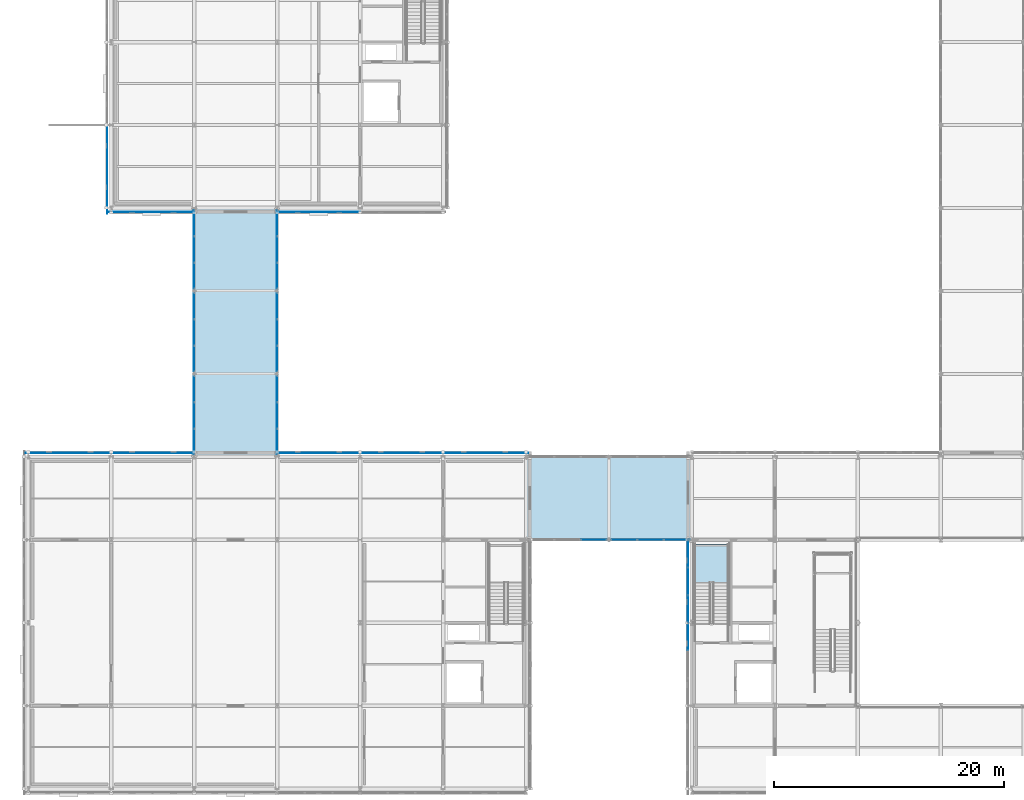
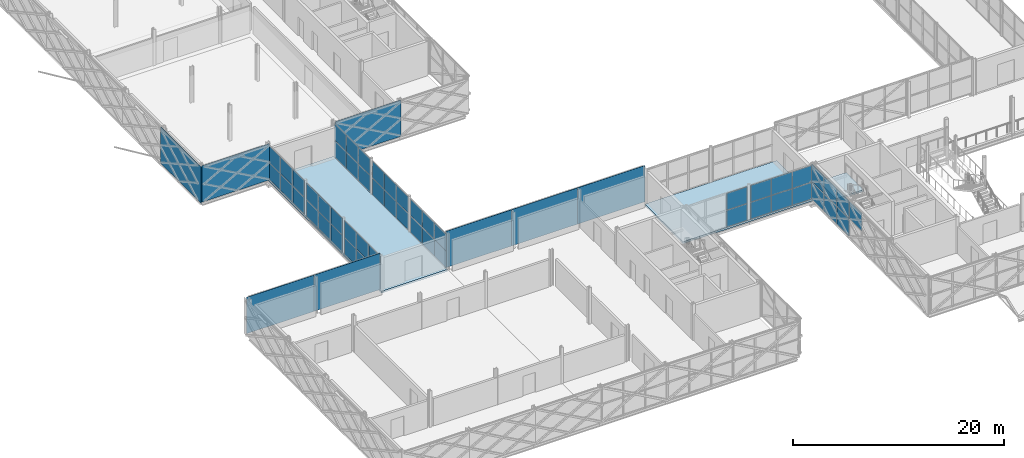
# One storey, part 87 of 146: 59 plates, 3 slabs, 11 elements without a shape of their own.
"""IFC4 building model written with IfcOpenShell, lengths in metres."""

from ifc_helpers import new_model, si_unit, direction, frame, origin, origin_2d, place, context, subcontext, project, spatial, polyline, rectangle, outline, extrude, material, layer, layer_set, type_object, element, aggregate, save


model = new_model("IFC4")

# Units and contexts
model_context = context("Model", 3, precision=1e-05, world=origin(), true_north=direction((0.0, 1.0)))
body_context = subcontext(model_context, "Body", "Model", "MODEL_VIEW")
ifc_project = project(units=[si_unit("LENGTHUNIT", "METRE"), si_unit("AREAUNIT", "SQUARE_METRE"), si_unit("VOLUMEUNIT", "CUBIC_METRE"), si_unit("PLANEANGLEUNIT", "RADIAN"), si_unit("MASSUNIT", "GRAM", prefix="KILO")], contexts=[model_context])

# Site, building, storey
site_placement = place(None, origin())
site = spatial("IfcSite", under=ifc_project, at=site_placement, CompositionType="ELEMENT")
building_placement = place(site_placement, origin())
building = spatial("IfcBuilding", under=site, at=building_placement, Name="Zlatovets Crest Museum", CompositionType="ELEMENT")
storey_placement = place(building_placement, frame((0.0, 0.0, 4.5)))
storey = spatial("IfcBuildingStorey", under=building, at=storey_placement, Name="L01", CompositionType="ELEMENT", Elevation=4.5)

# Curtain wall, plates
ifc_material_1 = material(Name="Bronze-anodised aluminium and low-E triple glass", Category="aluminium")
curtain_wall_type_1 = type_object("IfcCurtainWallType", Name="CW_CW-BR1-L01-S69", PredefinedType="NOTDEFINED", material=ifc_material_1)
curtain_wall_1_placement = place(storey_placement, origin())
curtain_wall_1 = element("IfcCurtainWall", 1, at=curtain_wall_1_placement, inside=storey, type_object=curtain_wall_type_1, Name="South Forecourt Glazed Link Bridge L01 Glazed Bridge Curtain Wall", PredefinedType="NOTDEFINED")
ifc_material_2 = material(Name="Solar-control low-E laminated triple glass", Category="glass")
ifc_layer_1 = layer(ifc_material_2, 0.030029296875)
ifc_layer_set_1 = layer_set([ifc_layer_1], Name="Solar-control low-E laminated triple glass")
plate_type_1 = type_object("IfcPlateType", Name="CWPanel_CW-BR1-L01-S69", PredefinedType="CURTAIN_PANEL", material=ifc_layer_set_1)
plate_1_placement = place(storey_placement, frame((49.0849609375, 21.60009765625, 0.06005859375), z_axis=(0.0, 0.0, 1.0), x_axis=(1.0, 0.0, 0.0)))
plate_1 = element("IfcPlate", 2, at=plate_1_placement, type_object=plate_type_1, Name="CW-BR1-L01-S69 panel 3.1", PredefinedType="CURTAIN_PANEL", context=body_context, shape_type="SweptSolid", body=[
    extrude(rectangle(XDim=2.2099609375, YDim=0.030029296875, at=origin_2d()), origin(), (0.0, 0.0, 1.0), 1.89990234375),
])
plate_2_placement = place(storey_placement, frame((49.0849609375, 21.60009765625, 2.02001953125), z_axis=(0.0, 0.0, 1.0), x_axis=(1.0, 0.0, 0.0)))
plate_2 = element("IfcPlate", 3, at=plate_2_placement, type_object=plate_type_1, Name="CW-BR1-L01-S69 panel 3.2", PredefinedType="CURTAIN_PANEL", context=body_context, shape_type="SweptSolid", body=[
    extrude(rectangle(XDim=2.2099609375, YDim=0.030029296875, at=origin_2d()), origin(), (0.0, 0.0, 1.0), 1.89990234375),
])
aggregate(curtain_wall_1, [plate_1, plate_2])

curtain_wall_2_placement = place(storey_placement, origin())
curtain_wall_2 = element("IfcCurtainWall", 4, at=curtain_wall_2_placement, inside=storey, type_object=curtain_wall_type_1, Name="South Forecourt Glazed Link Bridge L01 Glazed Bridge Curtain Wall", PredefinedType="NOTDEFINED")
plate_3_placement = place(storey_placement, frame((51.715087890625, 21.60009765625, 0.06005859375), z_axis=(0.0, 0.0, 1.0), x_axis=(1.0, 0.0, 0.0)))
plate_3 = element("IfcPlate", 5, at=plate_3_placement, type_object=plate_type_1, Name="CW-BR1-L01-S69 panel 1.1", PredefinedType="CURTAIN_PANEL", context=body_context, shape_type="SweptSolid", body=[
    extrude(rectangle(XDim=2.2099609375, YDim=0.030029296875, at=origin_2d()), origin(), (0.0, 0.0, 1.0), 1.89990234375),
])
plate_4_placement = place(storey_placement, frame((51.715087890625, 21.60009765625, 2.02001953125), z_axis=(0.0, 0.0, 1.0), x_axis=(1.0, 0.0, 0.0)))
plate_4 = element("IfcPlate", 6, at=plate_4_placement, type_object=plate_type_1, Name="CW-BR1-L01-S69 panel 1.2", PredefinedType="CURTAIN_PANEL", context=body_context, shape_type="SweptSolid", body=[
    extrude(rectangle(XDim=2.2099609375, YDim=0.030029296875, at=origin_2d()), origin(), (0.0, 0.0, 1.0), 1.89990234375),
])
plate_5_placement = place(storey_placement, frame((54.0, 21.60009765625, 0.06005859375), z_axis=(0.0, 0.0, 1.0), x_axis=(1.0, 0.0, 0.0)))
plate_5 = element("IfcPlate", 7, at=plate_5_placement, type_object=plate_type_1, Name="CW-BR1-L01-S69 panel 2.1", PredefinedType="CURTAIN_PANEL", context=body_context, shape_type="SweptSolid", body=[
    extrude(rectangle(XDim=2.239990234375, YDim=0.030029296875, at=origin_2d()), origin(), (0.0, 0.0, 1.0), 1.89990234375),
])
plate_6_placement = place(storey_placement, frame((54.0, 21.60009765625, 2.02001953125), z_axis=(0.0, 0.0, 1.0), x_axis=(1.0, 0.0, 0.0)))
plate_6 = element("IfcPlate", 8, at=plate_6_placement, type_object=plate_type_1, Name="CW-BR1-L01-S69 panel 2.2", PredefinedType="CURTAIN_PANEL", context=body_context, shape_type="SweptSolid", body=[
    extrude(rectangle(XDim=2.239990234375, YDim=0.030029296875, at=origin_2d()), origin(), (0.0, 0.0, 1.0), 1.89990234375),
])
plate_7_placement = place(storey_placement, frame((56.284912109375, 21.60009765625, 0.06005859375), z_axis=(0.0, 0.0, 1.0), x_axis=(1.0, 0.0, 0.0)))
plate_7 = element("IfcPlate", 9, at=plate_7_placement, type_object=plate_type_1, Name="CW-BR1-L01-S69 panel 3.1", PredefinedType="CURTAIN_PANEL", context=body_context, shape_type="SweptSolid", body=[
    extrude(rectangle(XDim=2.2099609375, YDim=0.030029296875, at=origin_2d()), origin(), (0.0, 0.0, 1.0), 1.89990234375),
])
plate_8_placement = place(storey_placement, frame((56.284912109375, 21.60009765625, 2.02001953125), z_axis=(0.0, 0.0, 1.0), x_axis=(1.0, 0.0, 0.0)))
plate_8 = element("IfcPlate", 10, at=plate_8_placement, type_object=plate_type_1, Name="CW-BR1-L01-S69 panel 3.2", PredefinedType="CURTAIN_PANEL", context=body_context, shape_type="SweptSolid", body=[
    extrude(rectangle(XDim=2.2099609375, YDim=0.030029296875, at=origin_2d()), origin(), (0.0, 0.0, 1.0), 1.89990234375),
])
aggregate(curtain_wall_2, [plate_3, plate_4, plate_5, plate_6, plate_7, plate_8])

curtain_wall_type_2 = type_object("IfcCurtainWallType", Name="CW_CW-BR2-L01-S69", PredefinedType="NOTDEFINED", material=ifc_material_1)
curtain_wall_3_placement = place(storey_placement, origin())
curtain_wall_3 = element("IfcCurtainWall", 11, at=curtain_wall_3_placement, inside=storey, type_object=curtain_wall_type_2, Name="West Hillside Glazed Link Bridge L01 Glazed Bridge Curtain Wall", PredefinedType="NOTDEFINED")
ifc_layer_2 = layer(ifc_material_2, 0.030029296875)
ifc_layer_set_2 = layer_set([ifc_layer_2], Name="Solar-control low-E laminated triple glass")
plate_type_2 = type_object("IfcPlateType", Name="CWPanel_CW-BR2-L01-S69", PredefinedType="CURTAIN_PANEL", material=ifc_layer_set_2)
plate_9_placement = place(storey_placement, frame((14.39990234375, 30.114990234375, 0.06005859375), z_axis=(0.0, 0.0, 1.0), x_axis=(0.0, 1.0, 0.0)))
plate_9 = element("IfcPlate", 12, at=plate_9_placement, type_object=plate_type_2, Name="CW-BR2-L01-S69 panel 1.1", PredefinedType="CURTAIN_PANEL", context=body_context, shape_type="SweptSolid", body=[
    extrude(rectangle(XDim=2.2099609375, YDim=0.030029296875, at=origin_2d()), origin(), (0.0, 0.0, 1.0), 1.89990234375),
])
plate_10_placement = place(storey_placement, frame((14.39990234375, 30.114990234375, 2.02001953125), z_axis=(0.0, 0.0, 1.0), x_axis=(0.0, 1.0, 0.0)))
plate_10 = element("IfcPlate", 13, at=plate_10_placement, type_object=plate_type_2, Name="CW-BR2-L01-S69 panel 1.2", PredefinedType="CURTAIN_PANEL", context=body_context, shape_type="SweptSolid", body=[
    extrude(rectangle(XDim=2.2099609375, YDim=0.030029296875, at=origin_2d()), origin(), (0.0, 0.0, 1.0), 1.89990234375),
])
plate_11_placement = place(storey_placement, frame((14.39990234375, 32.39990234375, 0.06005859375), z_axis=(0.0, 0.0, 1.0), x_axis=(0.0, 1.0, 0.0)))
plate_11 = element("IfcPlate", 14, at=plate_11_placement, type_object=plate_type_2, Name="CW-BR2-L01-S69 panel 2.1", PredefinedType="CURTAIN_PANEL", context=body_context, shape_type="SweptSolid", body=[
    extrude(rectangle(XDim=2.239990234375, YDim=0.030029296875, at=origin_2d()), origin(), (0.0, 0.0, 1.0), 1.89990234375),
])
plate_12_placement = place(storey_placement, frame((14.39990234375, 32.39990234375, 2.02001953125), z_axis=(0.0, 0.0, 1.0), x_axis=(0.0, 1.0, 0.0)))
plate_12 = element("IfcPlate", 15, at=plate_12_placement, type_object=plate_type_2, Name="CW-BR2-L01-S69 panel 2.2", PredefinedType="CURTAIN_PANEL", context=body_context, shape_type="SweptSolid", body=[
    extrude(rectangle(XDim=2.239990234375, YDim=0.030029296875, at=origin_2d()), origin(), (0.0, 0.0, 1.0), 1.89990234375),
])
plate_13_placement = place(storey_placement, frame((14.39990234375, 34.68505859375, 0.06005859375), z_axis=(0.0, 0.0, 1.0), x_axis=(0.0, 1.0, 0.0)))
plate_13 = element("IfcPlate", 16, at=plate_13_placement, type_object=plate_type_2, Name="CW-BR2-L01-S69 panel 3.1", PredefinedType="CURTAIN_PANEL", context=body_context, shape_type="SweptSolid", body=[
    extrude(rectangle(XDim=2.2099609375, YDim=0.030029296875, at=origin_2d()), origin(), (0.0, 0.0, 1.0), 1.89990234375),
])
plate_14_placement = place(storey_placement, frame((14.39990234375, 34.68505859375, 2.02001953125), z_axis=(0.0, 0.0, 1.0), x_axis=(0.0, 1.0, 0.0)))
plate_14 = element("IfcPlate", 17, at=plate_14_placement, type_object=plate_type_2, Name="CW-BR2-L01-S69 panel 3.2", PredefinedType="CURTAIN_PANEL", context=body_context, shape_type="SweptSolid", body=[
    extrude(rectangle(XDim=2.2099609375, YDim=0.030029296875, at=origin_2d()), origin(), (0.0, 0.0, 1.0), 1.89990234375),
])
aggregate(curtain_wall_3, [plate_9, plate_10, plate_11, plate_12, plate_13, plate_14])

curtain_wall_4_placement = place(storey_placement, origin())
curtain_wall_4 = element("IfcCurtainWall", 18, at=curtain_wall_4_placement, inside=storey, type_object=curtain_wall_type_2, Name="West Hillside Glazed Link Bridge L01 Glazed Bridge Curtain Wall", PredefinedType="NOTDEFINED")
plate_15_placement = place(storey_placement, frame((14.39990234375, 37.31494140625, 0.06005859375), z_axis=(0.0, 0.0, 1.0), x_axis=(0.0, 1.0, 0.0)))
plate_15 = element("IfcPlate", 19, at=plate_15_placement, type_object=plate_type_2, Name="CW-BR2-L01-S69 panel 1.1", PredefinedType="CURTAIN_PANEL", context=body_context, shape_type="SweptSolid", body=[
    extrude(rectangle(XDim=2.2099609375, YDim=0.030029296875, at=origin_2d()), origin(), (0.0, 0.0, 1.0), 1.89990234375),
])
plate_16_placement = place(storey_placement, frame((14.39990234375, 37.31494140625, 2.02001953125), z_axis=(0.0, 0.0, 1.0), x_axis=(0.0, 1.0, 0.0)))
plate_16 = element("IfcPlate", 20, at=plate_16_placement, type_object=plate_type_2, Name="CW-BR2-L01-S69 panel 1.2", PredefinedType="CURTAIN_PANEL", context=body_context, shape_type="SweptSolid", body=[
    extrude(rectangle(XDim=2.2099609375, YDim=0.030029296875, at=origin_2d()), origin(), (0.0, 0.0, 1.0), 1.89990234375),
])
plate_17_placement = place(storey_placement, frame((14.39990234375, 39.60009765625, 0.06005859375), z_axis=(0.0, 0.0, 1.0), x_axis=(0.0, 1.0, 0.0)))
plate_17 = element("IfcPlate", 21, at=plate_17_placement, type_object=plate_type_2, Name="CW-BR2-L01-S69 panel 2.1", PredefinedType="CURTAIN_PANEL", context=body_context, shape_type="SweptSolid", body=[
    extrude(rectangle(XDim=2.239990234375, YDim=0.030029296875, at=origin_2d()), origin(), (0.0, 0.0, 1.0), 1.89990234375),
])
plate_18_placement = place(storey_placement, frame((14.39990234375, 39.60009765625, 2.02001953125), z_axis=(0.0, 0.0, 1.0), x_axis=(0.0, 1.0, 0.0)))
plate_18 = element("IfcPlate", 22, at=plate_18_placement, type_object=plate_type_2, Name="CW-BR2-L01-S69 panel 2.2", PredefinedType="CURTAIN_PANEL", context=body_context, shape_type="SweptSolid", body=[
    extrude(rectangle(XDim=2.239990234375, YDim=0.030029296875, at=origin_2d()), origin(), (0.0, 0.0, 1.0), 1.89990234375),
])
plate_19_placement = place(storey_placement, frame((14.39990234375, 41.885009765625, 0.06005859375), z_axis=(0.0, 0.0, 1.0), x_axis=(0.0, 1.0, 0.0)))
plate_19 = element("IfcPlate", 23, at=plate_19_placement, type_object=plate_type_2, Name="CW-BR2-L01-S69 panel 3.1", PredefinedType="CURTAIN_PANEL", context=body_context, shape_type="SweptSolid", body=[
    extrude(rectangle(XDim=2.2099609375, YDim=0.030029296875, at=origin_2d()), origin(), (0.0, 0.0, 1.0), 1.89990234375),
])
plate_20_placement = place(storey_placement, frame((14.39990234375, 41.885009765625, 2.02001953125), z_axis=(0.0, 0.0, 1.0), x_axis=(0.0, 1.0, 0.0)))
plate_20 = element("IfcPlate", 24, at=plate_20_placement, type_object=plate_type_2, Name="CW-BR2-L01-S69 panel 3.2", PredefinedType="CURTAIN_PANEL", context=body_context, shape_type="SweptSolid", body=[
    extrude(rectangle(XDim=2.2099609375, YDim=0.030029296875, at=origin_2d()), origin(), (0.0, 0.0, 1.0), 1.89990234375),
])
aggregate(curtain_wall_4, [plate_15, plate_16, plate_17, plate_18, plate_19, plate_20])

curtain_wall_5_placement = place(storey_placement, origin())
curtain_wall_5 = element("IfcCurtainWall", 25, at=curtain_wall_5_placement, inside=storey, type_object=curtain_wall_type_2, Name="West Hillside Glazed Link Bridge L01 Glazed Bridge Curtain Wall", PredefinedType="NOTDEFINED")
plate_21_placement = place(storey_placement, frame((14.39990234375, 44.514892578125, 0.06005859375), z_axis=(0.0, 0.0, 1.0), x_axis=(0.0, 1.0, 0.0)))
plate_21 = element("IfcPlate", 26, at=plate_21_placement, type_object=plate_type_2, Name="CW-BR2-L01-S69 panel 1.1", PredefinedType="CURTAIN_PANEL", context=body_context, shape_type="SweptSolid", body=[
    extrude(rectangle(XDim=2.2099609375, YDim=0.030029296875, at=origin_2d()), origin(), (0.0, 0.0, 1.0), 1.89990234375),
])
plate_22_placement = place(storey_placement, frame((14.39990234375, 44.514892578125, 2.02001953125), z_axis=(0.0, 0.0, 1.0), x_axis=(0.0, 1.0, 0.0)))
plate_22 = element("IfcPlate", 27, at=plate_22_placement, type_object=plate_type_2, Name="CW-BR2-L01-S69 panel 1.2", PredefinedType="CURTAIN_PANEL", context=body_context, shape_type="SweptSolid", body=[
    extrude(rectangle(XDim=2.2099609375, YDim=0.030029296875, at=origin_2d()), origin(), (0.0, 0.0, 1.0), 1.89990234375),
])
plate_23_placement = place(storey_placement, frame((14.39990234375, 46.800048828125, 0.06005859375), z_axis=(0.0, 0.0, 1.0), x_axis=(0.0, 1.0, 0.0)))
plate_23 = element("IfcPlate", 28, at=plate_23_placement, type_object=plate_type_2, Name="CW-BR2-L01-S69 panel 2.1", PredefinedType="CURTAIN_PANEL", context=body_context, shape_type="SweptSolid", body=[
    extrude(rectangle(XDim=2.239990234375, YDim=0.030029296875, at=origin_2d()), origin(), (0.0, 0.0, 1.0), 1.89990234375),
])
plate_24_placement = place(storey_placement, frame((14.39990234375, 46.800048828125, 2.02001953125), z_axis=(0.0, 0.0, 1.0), x_axis=(0.0, 1.0, 0.0)))
plate_24 = element("IfcPlate", 29, at=plate_24_placement, type_object=plate_type_2, Name="CW-BR2-L01-S69 panel 2.2", PredefinedType="CURTAIN_PANEL", context=body_context, shape_type="SweptSolid", body=[
    extrude(rectangle(XDim=2.239990234375, YDim=0.030029296875, at=origin_2d()), origin(), (0.0, 0.0, 1.0), 1.89990234375),
])
plate_25_placement = place(storey_placement, frame((14.39990234375, 49.0849609375, 0.06005859375), z_axis=(0.0, 0.0, 1.0), x_axis=(0.0, 1.0, 0.0)))
plate_25 = element("IfcPlate", 30, at=plate_25_placement, type_object=plate_type_2, Name="CW-BR2-L01-S69 panel 3.1", PredefinedType="CURTAIN_PANEL", context=body_context, shape_type="SweptSolid", body=[
    extrude(rectangle(XDim=2.2099609375, YDim=0.030029296875, at=origin_2d()), origin(), (0.0, 0.0, 1.0), 1.89990234375),
])
plate_26_placement = place(storey_placement, frame((14.39990234375, 49.0849609375, 2.02001953125), z_axis=(0.0, 0.0, 1.0), x_axis=(0.0, 1.0, 0.0)))
plate_26 = element("IfcPlate", 31, at=plate_26_placement, type_object=plate_type_2, Name="CW-BR2-L01-S69 panel 3.2", PredefinedType="CURTAIN_PANEL", context=body_context, shape_type="SweptSolid", body=[
    extrude(rectangle(XDim=2.2099609375, YDim=0.030029296875, at=origin_2d()), origin(), (0.0, 0.0, 1.0), 1.89990234375),
])
aggregate(curtain_wall_5, [plate_21, plate_22, plate_23, plate_24, plate_25, plate_26])

curtain_wall_6_placement = place(storey_placement, origin())
curtain_wall_6 = element("IfcCurtainWall", 32, at=curtain_wall_6_placement, inside=storey, type_object=curtain_wall_type_2, Name="West Hillside Glazed Link Bridge L01 Glazed Bridge Curtain Wall", PredefinedType="NOTDEFINED")
plate_27_placement = place(storey_placement, frame((21.60009765625, 30.114990234375, 0.06005859375), z_axis=(0.0, 0.0, 1.0), x_axis=(0.0, 1.0, 0.0)))
plate_27 = element("IfcPlate", 33, at=plate_27_placement, type_object=plate_type_2, Name="CW-BR2-L01-S69 panel 1.1", PredefinedType="CURTAIN_PANEL", context=body_context, shape_type="SweptSolid", body=[
    extrude(rectangle(XDim=2.2099609375, YDim=0.030029296875, at=origin_2d()), origin(), (0.0, 0.0, 1.0), 1.89990234375),
])
plate_28_placement = place(storey_placement, frame((21.60009765625, 30.114990234375, 2.02001953125), z_axis=(0.0, 0.0, 1.0), x_axis=(0.0, 1.0, 0.0)))
plate_28 = element("IfcPlate", 34, at=plate_28_placement, type_object=plate_type_2, Name="CW-BR2-L01-S69 panel 1.2", PredefinedType="CURTAIN_PANEL", context=body_context, shape_type="SweptSolid", body=[
    extrude(rectangle(XDim=2.2099609375, YDim=0.030029296875, at=origin_2d()), origin(), (0.0, 0.0, 1.0), 1.89990234375),
])
plate_29_placement = place(storey_placement, frame((21.60009765625, 32.39990234375, 0.06005859375), z_axis=(0.0, 0.0, 1.0), x_axis=(0.0, 1.0, 0.0)))
plate_29 = element("IfcPlate", 35, at=plate_29_placement, type_object=plate_type_2, Name="CW-BR2-L01-S69 panel 2.1", PredefinedType="CURTAIN_PANEL", context=body_context, shape_type="SweptSolid", body=[
    extrude(rectangle(XDim=2.239990234375, YDim=0.030029296875, at=origin_2d()), origin(), (0.0, 0.0, 1.0), 1.89990234375),
])
plate_30_placement = place(storey_placement, frame((21.60009765625, 32.39990234375, 2.02001953125), z_axis=(0.0, 0.0, 1.0), x_axis=(0.0, 1.0, 0.0)))
plate_30 = element("IfcPlate", 36, at=plate_30_placement, type_object=plate_type_2, Name="CW-BR2-L01-S69 panel 2.2", PredefinedType="CURTAIN_PANEL", context=body_context, shape_type="SweptSolid", body=[
    extrude(rectangle(XDim=2.239990234375, YDim=0.030029296875, at=origin_2d()), origin(), (0.0, 0.0, 1.0), 1.89990234375),
])
plate_31_placement = place(storey_placement, frame((21.60009765625, 34.68505859375, 0.06005859375), z_axis=(0.0, 0.0, 1.0), x_axis=(0.0, 1.0, 0.0)))
plate_31 = element("IfcPlate", 37, at=plate_31_placement, type_object=plate_type_2, Name="CW-BR2-L01-S69 panel 3.1", PredefinedType="CURTAIN_PANEL", context=body_context, shape_type="SweptSolid", body=[
    extrude(rectangle(XDim=2.2099609375, YDim=0.030029296875, at=origin_2d()), origin(), (0.0, 0.0, 1.0), 1.89990234375),
])
plate_32_placement = place(storey_placement, frame((21.60009765625, 34.68505859375, 2.02001953125), z_axis=(0.0, 0.0, 1.0), x_axis=(0.0, 1.0, 0.0)))
plate_32 = element("IfcPlate", 38, at=plate_32_placement, type_object=plate_type_2, Name="CW-BR2-L01-S69 panel 3.2", PredefinedType="CURTAIN_PANEL", context=body_context, shape_type="SweptSolid", body=[
    extrude(rectangle(XDim=2.2099609375, YDim=0.030029296875, at=origin_2d()), origin(), (0.0, 0.0, 1.0), 1.89990234375),
])
aggregate(curtain_wall_6, [plate_27, plate_28, plate_29, plate_30, plate_31, plate_32])

curtain_wall_7_placement = place(storey_placement, origin())
curtain_wall_7 = element("IfcCurtainWall", 39, at=curtain_wall_7_placement, inside=storey, type_object=curtain_wall_type_2, Name="West Hillside Glazed Link Bridge L01 Glazed Bridge Curtain Wall", PredefinedType="NOTDEFINED")
plate_33_placement = place(storey_placement, frame((21.60009765625, 37.31494140625, 0.06005859375), z_axis=(0.0, 0.0, 1.0), x_axis=(0.0, 1.0, 0.0)))
plate_33 = element("IfcPlate", 40, at=plate_33_placement, type_object=plate_type_2, Name="CW-BR2-L01-S69 panel 1.1", PredefinedType="CURTAIN_PANEL", context=body_context, shape_type="SweptSolid", body=[
    extrude(rectangle(XDim=2.2099609375, YDim=0.030029296875, at=origin_2d()), origin(), (0.0, 0.0, 1.0), 1.89990234375),
])
plate_34_placement = place(storey_placement, frame((21.60009765625, 37.31494140625, 2.02001953125), z_axis=(0.0, 0.0, 1.0), x_axis=(0.0, 1.0, 0.0)))
plate_34 = element("IfcPlate", 41, at=plate_34_placement, type_object=plate_type_2, Name="CW-BR2-L01-S69 panel 1.2", PredefinedType="CURTAIN_PANEL", context=body_context, shape_type="SweptSolid", body=[
    extrude(rectangle(XDim=2.2099609375, YDim=0.030029296875, at=origin_2d()), origin(), (0.0, 0.0, 1.0), 1.89990234375),
])
plate_35_placement = place(storey_placement, frame((21.60009765625, 39.60009765625, 0.06005859375), z_axis=(0.0, 0.0, 1.0), x_axis=(0.0, 1.0, 0.0)))
plate_35 = element("IfcPlate", 42, at=plate_35_placement, type_object=plate_type_2, Name="CW-BR2-L01-S69 panel 2.1", PredefinedType="CURTAIN_PANEL", context=body_context, shape_type="SweptSolid", body=[
    extrude(rectangle(XDim=2.239990234375, YDim=0.030029296875, at=origin_2d()), origin(), (0.0, 0.0, 1.0), 1.89990234375),
])
plate_36_placement = place(storey_placement, frame((21.60009765625, 39.60009765625, 2.02001953125), z_axis=(0.0, 0.0, 1.0), x_axis=(0.0, 1.0, 0.0)))
plate_36 = element("IfcPlate", 43, at=plate_36_placement, type_object=plate_type_2, Name="CW-BR2-L01-S69 panel 2.2", PredefinedType="CURTAIN_PANEL", context=body_context, shape_type="SweptSolid", body=[
    extrude(rectangle(XDim=2.239990234375, YDim=0.030029296875, at=origin_2d()), origin(), (0.0, 0.0, 1.0), 1.89990234375),
])
plate_37_placement = place(storey_placement, frame((21.60009765625, 41.885009765625, 0.06005859375), z_axis=(0.0, 0.0, 1.0), x_axis=(0.0, 1.0, 0.0)))
plate_37 = element("IfcPlate", 44, at=plate_37_placement, type_object=plate_type_2, Name="CW-BR2-L01-S69 panel 3.1", PredefinedType="CURTAIN_PANEL", context=body_context, shape_type="SweptSolid", body=[
    extrude(rectangle(XDim=2.2099609375, YDim=0.030029296875, at=origin_2d()), origin(), (0.0, 0.0, 1.0), 1.89990234375),
])
plate_38_placement = place(storey_placement, frame((21.60009765625, 41.885009765625, 2.02001953125), z_axis=(0.0, 0.0, 1.0), x_axis=(0.0, 1.0, 0.0)))
plate_38 = element("IfcPlate", 45, at=plate_38_placement, type_object=plate_type_2, Name="CW-BR2-L01-S69 panel 3.2", PredefinedType="CURTAIN_PANEL", context=body_context, shape_type="SweptSolid", body=[
    extrude(rectangle(XDim=2.2099609375, YDim=0.030029296875, at=origin_2d()), origin(), (0.0, 0.0, 1.0), 1.89990234375),
])
aggregate(curtain_wall_7, [plate_33, plate_34, plate_35, plate_36, plate_37, plate_38])

curtain_wall_8_placement = place(storey_placement, origin())
curtain_wall_8 = element("IfcCurtainWall", 46, at=curtain_wall_8_placement, inside=storey, type_object=curtain_wall_type_2, Name="West Hillside Glazed Link Bridge L01 Glazed Bridge Curtain Wall", PredefinedType="NOTDEFINED")
plate_39_placement = place(storey_placement, frame((21.60009765625, 44.514892578125, 0.06005859375), z_axis=(0.0, 0.0, 1.0), x_axis=(0.0, 1.0, 0.0)))
plate_39 = element("IfcPlate", 47, at=plate_39_placement, type_object=plate_type_2, Name="CW-BR2-L01-S69 panel 1.1", PredefinedType="CURTAIN_PANEL", context=body_context, shape_type="SweptSolid", body=[
    extrude(rectangle(XDim=2.2099609375, YDim=0.030029296875, at=origin_2d()), origin(), (0.0, 0.0, 1.0), 1.89990234375),
])
plate_40_placement = place(storey_placement, frame((21.60009765625, 44.514892578125, 2.02001953125), z_axis=(0.0, 0.0, 1.0), x_axis=(0.0, 1.0, 0.0)))
plate_40 = element("IfcPlate", 48, at=plate_40_placement, type_object=plate_type_2, Name="CW-BR2-L01-S69 panel 1.2", PredefinedType="CURTAIN_PANEL", context=body_context, shape_type="SweptSolid", body=[
    extrude(rectangle(XDim=2.2099609375, YDim=0.030029296875, at=origin_2d()), origin(), (0.0, 0.0, 1.0), 1.89990234375),
])
plate_41_placement = place(storey_placement, frame((21.60009765625, 46.800048828125, 0.06005859375), z_axis=(0.0, 0.0, 1.0), x_axis=(0.0, 1.0, 0.0)))
plate_41 = element("IfcPlate", 49, at=plate_41_placement, type_object=plate_type_2, Name="CW-BR2-L01-S69 panel 2.1", PredefinedType="CURTAIN_PANEL", context=body_context, shape_type="SweptSolid", body=[
    extrude(rectangle(XDim=2.239990234375, YDim=0.030029296875, at=origin_2d()), origin(), (0.0, 0.0, 1.0), 1.89990234375),
])
plate_42_placement = place(storey_placement, frame((21.60009765625, 46.800048828125, 2.02001953125), z_axis=(0.0, 0.0, 1.0), x_axis=(0.0, 1.0, 0.0)))
plate_42 = element("IfcPlate", 50, at=plate_42_placement, type_object=plate_type_2, Name="CW-BR2-L01-S69 panel 2.2", PredefinedType="CURTAIN_PANEL", context=body_context, shape_type="SweptSolid", body=[
    extrude(rectangle(XDim=2.239990234375, YDim=0.030029296875, at=origin_2d()), origin(), (0.0, 0.0, 1.0), 1.89990234375),
])
plate_43_placement = place(storey_placement, frame((21.60009765625, 49.0849609375, 0.06005859375), z_axis=(0.0, 0.0, 1.0), x_axis=(0.0, 1.0, 0.0)))
plate_43 = element("IfcPlate", 51, at=plate_43_placement, type_object=plate_type_2, Name="CW-BR2-L01-S69 panel 3.1", PredefinedType="CURTAIN_PANEL", context=body_context, shape_type="SweptSolid", body=[
    extrude(rectangle(XDim=2.2099609375, YDim=0.030029296875, at=origin_2d()), origin(), (0.0, 0.0, 1.0), 1.89990234375),
])
plate_44_placement = place(storey_placement, frame((21.60009765625, 49.0849609375, 2.02001953125), z_axis=(0.0, 0.0, 1.0), x_axis=(0.0, 1.0, 0.0)))
plate_44 = element("IfcPlate", 52, at=plate_44_placement, type_object=plate_type_2, Name="CW-BR2-L01-S69 panel 3.2", PredefinedType="CURTAIN_PANEL", context=body_context, shape_type="SweptSolid", body=[
    extrude(rectangle(XDim=2.2099609375, YDim=0.030029296875, at=origin_2d()), origin(), (0.0, 0.0, 1.0), 1.89990234375),
])
aggregate(curtain_wall_8, [plate_39, plate_40, plate_41, plate_42, plate_43, plate_44])

# Curtain wall, plate
curtain_wall_type_3 = type_object("IfcCurtainWallType", Name="CW_CW-V2-L01-M0", PredefinedType="NOTDEFINED", material=ifc_material_1)
curtain_wall_9_placement = place(storey_placement, origin())
curtain_wall_9 = element("IfcCurtainWall", 53, at=curtain_wall_9_placement, inside=storey, type_object=curtain_wall_type_3, Name="V2 L01 Expressed Core Glazed Facade", PredefinedType="NOTDEFINED")
ifc_layer_3 = layer(ifc_material_2, 0.028076171875)
ifc_layer_set_3 = layer_set([ifc_layer_3], Name="Solar-control low-E laminated triple glass")
plate_type_3 = type_object("IfcPlateType", Name="CWPanel_CW-V2-L01-M0", PredefinedType="CURTAIN_PANEL", material=ifc_layer_set_3)
plate_45_placement = place(storey_placement, frame((57.260009765625, 13.18505859375, 2.1298828125), z_axis=(0.0, 0.0, 1.0), x_axis=(0.0, -1.0, 0.0)))
plate_45 = element("IfcPlate", 54, at=plate_45_placement, type_object=plate_type_3, Name="CW-V2-L01-M0 panel 1.2", PredefinedType="CURTAIN_PANEL", context=body_context, shape_type="SweptSolid", body=[
    extrude(rectangle(XDim=2.31005859375, YDim=0.030029296875, at=origin_2d()), origin(), (0.0, 0.0, 1.0), 2.010009765625),
])
aggregate(curtain_wall_9, [plate_45])

# Curtain wall, plates
curtain_wall_type_4 = type_object("IfcCurtainWallType", Name="CW_CW-V2-L01-M3", PredefinedType="NOTDEFINED", material=ifc_material_1)
curtain_wall_10_placement = place(storey_placement, origin())
curtain_wall_10 = element("IfcCurtainWall", 55, at=curtain_wall_10_placement, inside=storey, type_object=curtain_wall_type_4, Name="V2 L01 Expressed Core Glazed Facade", PredefinedType="NOTDEFINED")
ifc_layer_4 = layer(ifc_material_2, 0.0400390625)
ifc_layer_set_4 = layer_set([ifc_layer_4], Name="Solar-control low-E laminated triple glass")
plate_type_4 = type_object("IfcPlateType", Name="CWPanel_CW-V2-L01-M3", PredefinedType="CURTAIN_PANEL", material=ifc_layer_set_4)
plate_46_placement = place(storey_placement, frame((57.260009765625, 20.385009765625, 0.06005859375), z_axis=(0.0, 0.0, 1.0), x_axis=(0.0, -1.0, 0.0)))
plate_46 = element("IfcPlate", 56, at=plate_46_placement, type_object=plate_type_4, Name="CW-V2-L01-M3 panel 1.1", PredefinedType="CURTAIN_PANEL", context=body_context, shape_type="SweptSolid", body=[
    extrude(rectangle(XDim=2.31005859375, YDim=0.030029296875, at=origin_2d()), origin(), (0.0, 0.0, 1.0), 2.010009765625),
])
plate_47_placement = place(storey_placement, frame((57.260009765625, 20.385009765625, 2.1298828125), z_axis=(0.0, 0.0, 1.0), x_axis=(0.0, -1.0, 0.0)))
plate_47 = element("IfcPlate", 57, at=plate_47_placement, type_object=plate_type_4, Name="CW-V2-L01-M3 panel 1.2", PredefinedType="CURTAIN_PANEL", context=body_context, shape_type="SweptSolid", body=[
    extrude(rectangle(XDim=2.31005859375, YDim=0.030029296875, at=origin_2d()), origin(), (0.0, 0.0, 1.0), 2.010009765625),
])
plate_48_placement = place(storey_placement, frame((57.260009765625, 18.0, 0.06005859375), z_axis=(0.0, 0.0, 1.0), x_axis=(0.0, -1.0, 0.0)))
plate_48 = element("IfcPlate", 58, at=plate_48_placement, type_object=plate_type_4, Name="CW-V2-L01-M3 panel 2.1", PredefinedType="CURTAIN_PANEL", context=body_context, shape_type="SweptSolid", body=[
    extrude(rectangle(XDim=2.340087890625, YDim=0.030029296875, at=origin_2d()), origin(), (0.0, 0.0, 1.0), 2.010009765625),
])
plate_49_placement = place(storey_placement, frame((57.260009765625, 18.0, 2.1298828125), z_axis=(0.0, 0.0, 1.0), x_axis=(0.0, -1.0, 0.0)))
plate_49 = element("IfcPlate", 59, at=plate_49_placement, type_object=plate_type_4, Name="CW-V2-L01-M3 panel 2.2", PredefinedType="CURTAIN_PANEL", context=body_context, shape_type="SweptSolid", body=[
    extrude(rectangle(XDim=2.340087890625, YDim=0.030029296875, at=origin_2d()), origin(), (0.0, 0.0, 1.0), 2.010009765625),
])
plate_50_placement = place(storey_placement, frame((57.260009765625, 15.614990234375, 0.06005859375), z_axis=(0.0, 0.0, 1.0), x_axis=(0.0, -1.0, 0.0)))
plate_50 = element("IfcPlate", 60, at=plate_50_placement, type_object=plate_type_4, Name="CW-V2-L01-M3 panel 3.1", PredefinedType="CURTAIN_PANEL", context=body_context, shape_type="SweptSolid", body=[
    extrude(rectangle(XDim=2.31005859375, YDim=0.030029296875, at=origin_2d()), origin(), (0.0, 0.0, 1.0), 2.010009765625),
])
plate_51_placement = place(storey_placement, frame((57.260009765625, 15.614990234375, 2.1298828125), z_axis=(0.0, 0.0, 1.0), x_axis=(0.0, -1.0, 0.0)))
plate_51 = element("IfcPlate", 61, at=plate_51_placement, type_object=plate_type_4, Name="CW-V2-L01-M3 panel 3.2", PredefinedType="CURTAIN_PANEL", context=body_context, shape_type="SweptSolid", body=[
    extrude(rectangle(XDim=2.31005859375, YDim=0.030029296875, at=origin_2d()), origin(), (0.0, 0.0, 1.0), 2.010009765625),
])
aggregate(curtain_wall_10, [plate_46, plate_47, plate_48, plate_49, plate_50, plate_51])

# Plates
ifc_material_3 = material(Name="Ceramic-fritted low-E laminated architectural glass", Category="glass")
ifc_layer_5 = layer(ifc_material_3, 0.031982421875)
ifc_layer_set_5 = layer_set([ifc_layer_5], Name="Ceramic-fritted low-E laminated architectural glass")
plate_type_5 = type_object("IfcPlateType", Name="GlazedSpandrel_GSP1", PredefinedType="USERDEFINED", material=ifc_layer_set_5)
plate_52_placement = place(storey_placement, frame((39.699951171875, 29.139892578125, 0.0), z_axis=(0.0, 0.0, 1.0), x_axis=(1.0, 0.0, 0.0)))
element("IfcPlate", 62, at=plate_52_placement, inside=storey, type_object=plate_type_5, Name="V3 L01 Ceramic-Fritted Gallery Glass Skin", ObjectType="GLAZED_SPANDREL", PredefinedType="USERDEFINED", context=body_context, shape_type="SweptSolid", body=[
    extrude(rectangle(XDim=7.39990234375, YDim=0.031982421875, at=origin_2d()), origin(), (0.0, 0.0, 1.0), 4.199951171875),
])
for number, where, z_axis, x_axis, name in (
    (63, (32.39990234375, 29.139892578125, 0.0), (0.0, 0.0, 1.0), (1.0, 0.0, 0.0), "V3 L01 Ceramic-Fritted Gallery Glass Skin"),
    (64, (25.199951171875, 29.139892578125, 0.0), (0.0, 0.0, 1.0), (1.0, 0.0, 0.0), "V3 L01 Ceramic-Fritted Gallery Glass Skin"),
    (65, (10.800048828125, 29.139892578125, 0.0), (0.0, 0.0, 1.0), (1.0, 0.0, 0.0), "V3 L01 Ceramic-Fritted Gallery Glass Skin"),
):
    element("IfcPlate", number, at=place(storey_placement, frame(where, z_axis=z_axis, x_axis=x_axis)), inside=storey, type_object=plate_type_5, Name=name, ObjectType="GLAZED_SPANDREL", PredefinedType="USERDEFINED", context=body_context, shape_type="SweptSolid", body=[
        extrude(rectangle(XDim=7.199951171875, YDim=0.031982421875, at=origin_2d()), origin(), (0.0, 0.0, 1.0), 4.199951171875),
    ])
for number, where, z_axis, x_axis, name in (
    (66, (3.5, 29.139892578125, 0.0), (0.0, 0.0, 1.0), (1.0, 0.0, 0.0), "V3 L01 Ceramic-Fritted Gallery Glass Skin"),
    (67, (10.699951171875, 50.06005859375, 0.0), (0.0, 0.0, 1.0), (1.0, 0.0, 0.0), "V4 L01 Ceramic-Fritted Gallery Glass Skin"),
):
    element("IfcPlate", number, at=place(storey_placement, frame(where, z_axis=z_axis, x_axis=x_axis)), inside=storey, type_object=plate_type_5, Name=name, ObjectType="GLAZED_SPANDREL", PredefinedType="USERDEFINED", context=body_context, shape_type="SweptSolid", body=[
        extrude(rectangle(XDim=7.39990234375, YDim=0.031982421875, at=origin_2d()), origin(), (0.0, 0.0, 1.0), 4.199951171875),
    ])
plate_53_placement = place(storey_placement, frame((25.199951171875, 50.06005859375, 0.0), z_axis=(0.0, 0.0, 1.0), x_axis=(1.0, 0.0, 0.0)))
element("IfcPlate", 68, at=plate_53_placement, inside=storey, type_object=plate_type_5, Name="V4 L01 Ceramic-Fritted Gallery Glass Skin", ObjectType="GLAZED_SPANDREL", PredefinedType="USERDEFINED", context=body_context, shape_type="SweptSolid", body=[
    extrude(rectangle(XDim=7.199951171875, YDim=0.031982421875, at=origin_2d()), origin(), (0.0, 0.0, 1.0), 4.199951171875),
])
plate_54_placement = place(storey_placement, frame((6.860107421875, 53.760009765625, 0.0), z_axis=(0.0, 0.0, 1.0), x_axis=(0.0, 1.0, 0.0)))
element("IfcPlate", 69, at=plate_54_placement, inside=storey, type_object=plate_type_5, Name="V4 L01 Ceramic-Fritted Gallery Glass Skin", ObjectType="GLAZED_SPANDREL", PredefinedType="USERDEFINED", context=body_context, shape_type="SweptSolid", body=[
    extrude(rectangle(XDim=7.679931640625, YDim=0.031982421875, at=origin_2d()), origin(), (0.0, 0.0, 1.0), 4.199951171875),
])

# Slabs
ifc_material_4 = material(Name="Concrete C30/37", Category="concrete")
ifc_layer_6 = layer(ifc_material_4, 0.219970703125)
ifc_layer_set_6 = layer_set([ifc_layer_6], Name="Concrete C30/37")
slab_type_1 = type_object("IfcSlabType", Name="Slab_FS-02", PredefinedType="FLOOR", material=ifc_layer_set_6)
slab_1_placement = place(storey_placement, frame((0.0, 0.0, -0.219970703125)))
element("IfcSlab", 70, at=slab_1_placement, inside=storey, type_object=slab_type_1, Name="South Forecourt Glazed Link Bridge L01 Deck Slab", PredefinedType="FLOOR", context=body_context, shape_type="SweptSolid", body=[
    extrude(outline(polyline([(57.60009765625, 21.60009765625), (57.60009765625, 28.800048828125), (43.199951171875, 28.800048828125), (43.199951171875, 21.60009765625), (57.60009765625, 21.60009765625)])), origin(), (0.0, 0.0, 1.0), 0.219970703125),
])
slab_2_placement = place(storey_placement, frame((0.0, 0.0, -0.219970703125)))
element("IfcSlab", 71, at=slab_2_placement, inside=storey, type_object=slab_type_1, Name="West Hillside Glazed Link Bridge L01 Deck Slab", PredefinedType="FLOOR", context=body_context, shape_type="SweptSolid", body=[
    extrude(outline(polyline([(21.60009765625, 28.800048828125), (21.60009765625, 50.39990234375), (14.39990234375, 50.39990234375), (14.39990234375, 28.800048828125), (21.60009765625, 28.800048828125)])), origin(), (0.0, 0.0, 1.0), 0.219970703125),
])

# Stair, slab
ifc_material_5 = material(Name="Concrete C35/45", Category="concrete")
stair_type = type_object("IfcStairType", Name="Stair_ST2-26R", PredefinedType="HALF_TURN_STAIR", material=ifc_material_5)
stair_placement = place(storey_placement, origin())
stair = element("IfcStair", 72, at=stair_placement, inside=storey, type_object=stair_type, Name="L01 Core C2 Escape Stair ST2", PredefinedType="HALF_TURN_STAIR")
ifc_layer_7 = layer(ifc_material_5, 0.199951171875)
ifc_layer_set_7 = layer_set([ifc_layer_7], Name="Concrete C35/45")
slab_type_2 = type_object("IfcSlabType", Name="StairLanding_SLD1", PredefinedType="LANDING", material=ifc_layer_set_7)
slab_3_placement = place(storey_placement, frame((0.0, 0.0, 1.89990234375)))
slab_3 = element("IfcSlab", 73, at=slab_3_placement, type_object=slab_type_2, Name="ST2 landing 1", PredefinedType="LANDING", context=body_context, shape_type="SweptSolid", body=[
    extrude(outline(polyline([(60.800048828125, 17.89990234375), (60.800048828125, 21.199951171875), (57.800048828125, 21.199951171875), (57.800048828125, 17.89990234375), (60.800048828125, 17.89990234375)])), origin(), (0.0, 0.0, 1.0), 0.2001953125),
])
aggregate(stair, [slab_3])

save(model, "model.ifc")
